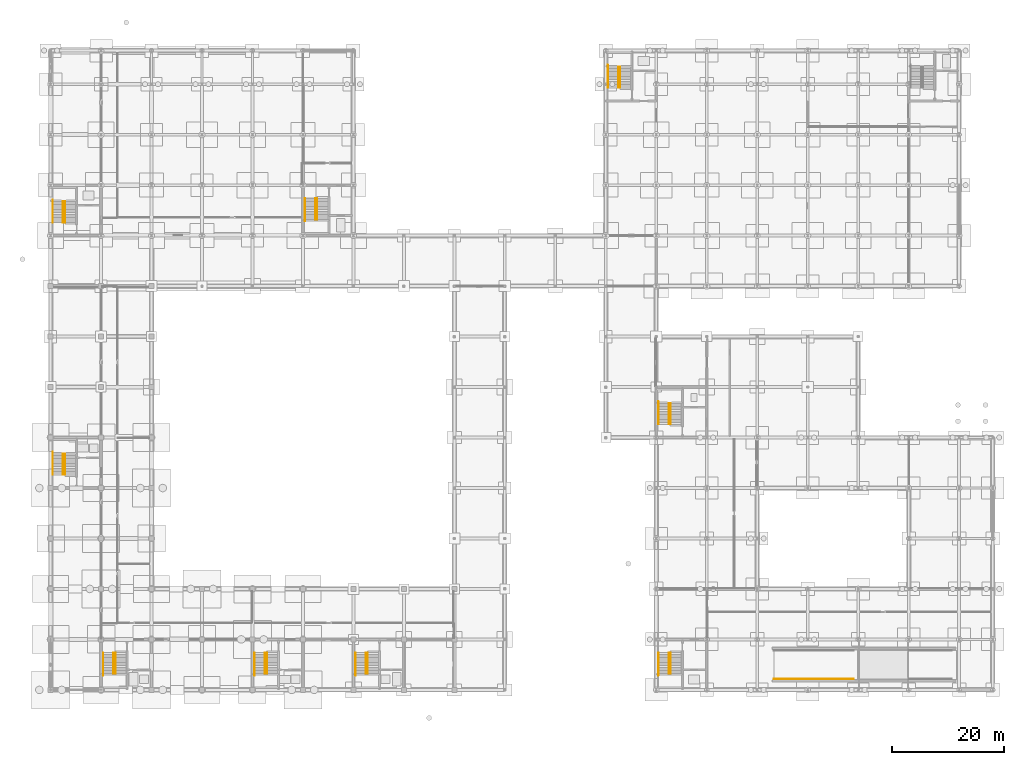
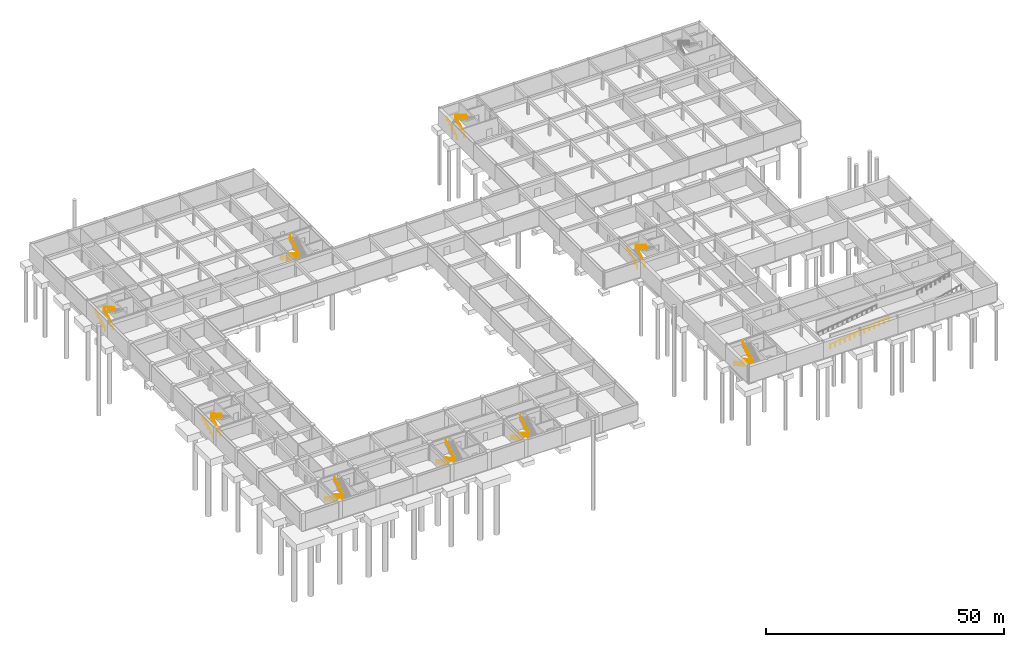
# One storey, part 39 of 41: 19 railings.
"""IFC4 building model written with IfcOpenShell, lengths in metres."""

from ifc_helpers import new_model, si_unit, direction, frame, origin, origin_2d, place, context, subcontext, project, spatial, circle, extrude, material, type_object, element, save


model = new_model("IFC4")

# Units and contexts
model_context = context("Model", 3, precision=1e-05, world=origin(), true_north=direction((0.0, 1.0)))
body_context = subcontext(model_context, "Body", "Model", "MODEL_VIEW")
ifc_project = project(units=[si_unit("LENGTHUNIT", "METRE"), si_unit("AREAUNIT", "SQUARE_METRE"), si_unit("VOLUMEUNIT", "CUBIC_METRE"), si_unit("PLANEANGLEUNIT", "RADIAN"), si_unit("MASSUNIT", "GRAM", prefix="KILO")], contexts=[model_context])

# Site, building, storey
site_placement = place(None, origin())
site = spatial("IfcSite", under=ifc_project, at=site_placement, CompositionType="ELEMENT")
building_placement = place(site_placement, origin())
building = spatial("IfcBuilding", under=site, at=building_placement, Name="Palais des Congres Ocreval", CompositionType="ELEMENT")
storey_placement = place(building_placement, frame((0.0, 0.0, -8.9599609375)))
storey = spatial("IfcBuildingStorey", under=building, at=storey_placement, Name="B2", CompositionType="ELEMENT", Elevation=-8.9599609375)

# Railings
ifc_material_1 = material(Name="Anodized bronze aluminium", Category="aluminium")
railing_type_1 = type_object("IfcRailingType", Name="Bronze Stair and Ramp Handrail 900", PredefinedType="HANDRAIL", material=ifc_material_1)
for number, where, name in (
    (1, (9.3798828125, 6.64990234375, 0.159912109375), "Stair Wall Handrail ST01 B2"),
    (2, (36.3798828125, 6.64990234375, 0.159912109375), "Stair Wall Handrail ST02 B2"),
):
    element("IfcRailing", number, at=place(storey_placement, frame(where)), inside=storey, type_object=railing_type_1, Name=name, PredefinedType="HANDRAIL", context=body_context, shape_type="SweptSolid", body=[
        extrude(circle(Radius=0.02392578125, at=origin_2d()), frame((0.0, 0.0, 0.8759765625), z_axis=(0.0, -0.87556923635, 0.483092654009), x_axis=(1.0, 0.0, 0.0)), (0.0, 0.0, 1.0), 4.63671875),
        extrude(circle(Radius=0.02099609375, at=origin_2d()), origin(), (0.0, 0.0, 1.0), 0.851806640625),
        extrude(circle(Radius=0.02099609375, at=origin_2d()), frame((0.0, -1.014892578125, 0.56005859375)), (0.0, 0.0, 1.0), 0.851806640625),
        extrude(circle(Radius=0.02099609375, at=origin_2d()), frame((0.0, -2.02978515625, 1.1201171875)), (0.0, 0.0, 1.0), 0.851806640625),
        extrude(circle(Radius=0.02099609375, at=origin_2d()), frame((0.0, -3.044921875, 1.679931640625)), (0.0, 0.0, 1.0), 0.851806640625),
        extrude(circle(Radius=0.02099609375, at=origin_2d()), frame((0.0, -4.059814453125, 2.239990234375)), (0.0, 0.0, 1.0), 0.851806640625),
    ])
railing_1_placement = place(storey_placement, frame((0.3798828125, 38.35009765625, 0.159912109375)))
element("IfcRailing", 3, at=railing_1_placement, inside=storey, type_object=railing_type_1, Name="Stair Wall Handrail ST03 B2", PredefinedType="HANDRAIL", context=body_context, shape_type="SweptSolid", body=[
    extrude(circle(Radius=0.02392578125, at=origin_2d()), frame((0.0, 0.0, 0.8759765625), z_axis=(0.0, 0.87556923635, 0.483092654009), x_axis=(-1.0, 0.0, 0.0)), (0.0, 0.0, 1.0), 4.63671875),
    extrude(circle(Radius=0.02099609375, at=origin_2d()), origin(), (0.0, 0.0, 1.0), 0.851806640625),
    extrude(circle(Radius=0.02099609375, at=origin_2d()), frame((0.0, 1.014892578125, 0.56005859375)), (0.0, 0.0, 1.0), 0.851806640625),
    extrude(circle(Radius=0.02099609375, at=origin_2d()), frame((0.0, 2.02978515625, 1.1201171875)), (0.0, 0.0, 1.0), 0.851806640625),
    extrude(circle(Radius=0.02099609375, at=origin_2d()), frame((0.0, 3.044921875, 1.679931640625)), (0.0, 0.0, 1.0), 0.851806640625),
    extrude(circle(Radius=0.02099609375, at=origin_2d()), frame((0.0, 4.059814453125, 2.239990234375)), (0.0, 0.0, 1.0), 0.851806640625),
])
railing_2_placement = place(storey_placement, frame((54.3798828125, 6.64990234375, 0.159912109375)))
element("IfcRailing", 4, at=railing_2_placement, inside=storey, type_object=railing_type_1, Name="Stair Wall Handrail ST04 B2", PredefinedType="HANDRAIL", context=body_context, shape_type="SweptSolid", body=[
    extrude(circle(Radius=0.02392578125, at=origin_2d()), frame((0.0, 0.0, 0.8759765625), z_axis=(0.0, -0.87556923635, 0.483092654009), x_axis=(1.0, 0.0, 0.0)), (0.0, 0.0, 1.0), 4.63671875),
    extrude(circle(Radius=0.02099609375, at=origin_2d()), origin(), (0.0, 0.0, 1.0), 0.851806640625),
    extrude(circle(Radius=0.02099609375, at=origin_2d()), frame((0.0, -1.014892578125, 0.56005859375)), (0.0, 0.0, 1.0), 0.851806640625),
    extrude(circle(Radius=0.02099609375, at=origin_2d()), frame((0.0, -2.02978515625, 1.1201171875)), (0.0, 0.0, 1.0), 0.851806640625),
    extrude(circle(Radius=0.02099609375, at=origin_2d()), frame((0.0, -3.044921875, 1.679931640625)), (0.0, 0.0, 1.0), 0.851806640625),
    extrude(circle(Radius=0.02099609375, at=origin_2d()), frame((0.0, -4.059814453125, 2.239990234375)), (0.0, 0.0, 1.0), 0.851806640625),
])
railing_3_placement = place(storey_placement, frame((0.3798828125, 83.35009765625, 0.159912109375)))
element("IfcRailing", 5, at=railing_3_placement, inside=storey, type_object=railing_type_1, Name="Stair Wall Handrail ST05 B2", PredefinedType="HANDRAIL", context=body_context, shape_type="SweptSolid", body=[
    extrude(circle(Radius=0.02392578125, at=origin_2d()), frame((0.0, 0.0, 0.8759765625), z_axis=(0.0, 0.87556923635, 0.483092654009), x_axis=(-1.0, 0.0, 0.0)), (0.0, 0.0, 1.0), 4.63671875),
    extrude(circle(Radius=0.02099609375, at=origin_2d()), origin(), (0.0, 0.0, 1.0), 0.851806640625),
    extrude(circle(Radius=0.02099609375, at=origin_2d()), frame((0.0, 1.014892578125, 0.56005859375)), (0.0, 0.0, 1.0), 0.851806640625),
    extrude(circle(Radius=0.02099609375, at=origin_2d()), frame((0.0, 2.02978515625, 1.1201171875)), (0.0, 0.0, 1.0), 0.851806640625),
    extrude(circle(Radius=0.02099609375, at=origin_2d()), frame((0.0, 3.044921875, 1.679931640625)), (0.0, 0.0, 1.0), 0.851806640625),
    extrude(circle(Radius=0.02099609375, at=origin_2d()), frame((0.0, 4.059814453125, 2.239990234375)), (0.0, 0.0, 1.0), 0.851806640625),
])
railing_4_placement = place(storey_placement, frame((45.3798828125, 87.64990234375, 0.159912109375)))
element("IfcRailing", 6, at=railing_4_placement, inside=storey, type_object=railing_type_1, Name="Stair Wall Handrail ST06 B2", PredefinedType="HANDRAIL", context=body_context, shape_type="SweptSolid", body=[
    extrude(circle(Radius=0.02392578125, at=origin_2d()), frame((0.0, 0.0, 0.8759765625), z_axis=(0.0, -0.87556923635, 0.483092654009), x_axis=(1.0, 0.0, 0.0)), (0.0, 0.0, 1.0), 4.63671875),
    extrude(circle(Radius=0.02099609375, at=origin_2d()), origin(), (0.0, 0.0, 1.0), 0.851806640625),
    extrude(circle(Radius=0.02099609375, at=origin_2d()), frame((0.0, -1.014892578125, 0.56005859375)), (0.0, 0.0, 1.0), 0.851806640625),
    extrude(circle(Radius=0.02099609375, at=origin_2d()), frame((0.0, -2.02978515625, 1.1201171875)), (0.0, 0.0, 1.0), 0.851806640625),
    extrude(circle(Radius=0.02099609375, at=origin_2d()), frame((0.0, -3.044921875, 1.679931640625)), (0.0, 0.0, 1.0), 0.851806640625),
    extrude(circle(Radius=0.02099609375, at=origin_2d()), frame((0.0, -4.059814453125, 2.239990234375)), (0.0, 0.0, 1.0), 0.851806640625),
])
railing_5_placement = place(storey_placement, frame((99.3798828125, 107.35009765625, 0.159912109375)))
element("IfcRailing", 7, at=railing_5_placement, inside=storey, type_object=railing_type_1, Name="Stair Wall Handrail ST07 B2", PredefinedType="HANDRAIL", context=body_context, shape_type="SweptSolid", body=[
    extrude(circle(Radius=0.02392578125, at=origin_2d()), frame((0.0, 0.0, 0.8759765625), z_axis=(0.0, 0.87556923635, 0.483092654009), x_axis=(-1.0, 0.0, 0.0)), (0.0, 0.0, 1.0), 4.63671875),
    extrude(circle(Radius=0.02099609375, at=origin_2d()), origin(), (0.0, 0.0, 1.0), 0.851806640625),
    extrude(circle(Radius=0.02099609375, at=origin_2d()), frame((0.0, 1.014892578125, 0.56005859375)), (0.0, 0.0, 1.0), 0.851806640625),
    extrude(circle(Radius=0.02099609375, at=origin_2d()), frame((0.0, 2.02978515625, 1.1201171875)), (0.0, 0.0, 1.0), 0.851806640625),
    extrude(circle(Radius=0.02099609375, at=origin_2d()), frame((0.0, 3.044921875, 1.679931640625)), (0.0, 0.0, 1.0), 0.851806640625),
    extrude(circle(Radius=0.02099609375, at=origin_2d()), frame((0.0, 4.059814453125, 2.239990234375)), (0.0, 0.0, 1.0), 0.851806640625),
])
railing_6_placement = place(storey_placement, frame((108.3798828125, 6.64990234375, 0.159912109375)))
element("IfcRailing", 8, at=railing_6_placement, inside=storey, type_object=railing_type_1, Name="Stair Wall Handrail ST09 B2", PredefinedType="HANDRAIL", context=body_context, shape_type="SweptSolid", body=[
    extrude(circle(Radius=0.02392578125, at=origin_2d()), frame((0.0, 0.0, 0.8759765625), z_axis=(0.0, -0.87556923635, 0.483092654009), x_axis=(1.0, 0.0, 0.0)), (0.0, 0.0, 1.0), 4.63671875),
    extrude(circle(Radius=0.02099609375, at=origin_2d()), origin(), (0.0, 0.0, 1.0), 0.851806640625),
    extrude(circle(Radius=0.02099609375, at=origin_2d()), frame((0.0, -1.014892578125, 0.56005859375)), (0.0, 0.0, 1.0), 0.851806640625),
    extrude(circle(Radius=0.02099609375, at=origin_2d()), frame((0.0, -2.02978515625, 1.1201171875)), (0.0, 0.0, 1.0), 0.851806640625),
    extrude(circle(Radius=0.02099609375, at=origin_2d()), frame((0.0, -3.044921875, 1.679931640625)), (0.0, 0.0, 1.0), 0.851806640625),
    extrude(circle(Radius=0.02099609375, at=origin_2d()), frame((0.0, -4.059814453125, 2.239990234375)), (0.0, 0.0, 1.0), 0.851806640625),
])
railing_7_placement = place(storey_placement, frame((108.3798828125, 47.35009765625, 0.159912109375)))
element("IfcRailing", 9, at=railing_7_placement, inside=storey, type_object=railing_type_1, Name="Stair Wall Handrail ST10 B2", PredefinedType="HANDRAIL", context=body_context, shape_type="SweptSolid", body=[
    extrude(circle(Radius=0.02392578125, at=origin_2d()), frame((0.0, 0.0, 0.8759765625), z_axis=(0.0, 0.87556923635, 0.483092654009), x_axis=(-1.0, 0.0, 0.0)), (0.0, 0.0, 1.0), 4.63671875),
    extrude(circle(Radius=0.02099609375, at=origin_2d()), origin(), (0.0, 0.0, 1.0), 0.851806640625),
    extrude(circle(Radius=0.02099609375, at=origin_2d()), frame((0.0, 1.014892578125, 0.56005859375)), (0.0, 0.0, 1.0), 0.851806640625),
    extrude(circle(Radius=0.02099609375, at=origin_2d()), frame((0.0, 2.02978515625, 1.1201171875)), (0.0, 0.0, 1.0), 0.851806640625),
    extrude(circle(Radius=0.02099609375, at=origin_2d()), frame((0.0, 3.044921875, 1.679931640625)), (0.0, 0.0, 1.0), 0.851806640625),
    extrude(circle(Radius=0.02099609375, at=origin_2d()), frame((0.0, 4.059814453125, 2.239990234375)), (0.0, 0.0, 1.0), 0.851806640625),
])
ifc_material_2 = material(Name="Steel S355", Category="steel")
railing_type_2 = type_object("IfcRailingType", Name="Stairwell Steel Guardrail 1100", PredefinedType="GUARDRAIL", material=ifc_material_2)
railing_8_placement = place(storey_placement, frame((11.22998046875, 6.64990234375, 0.0)))
element("IfcRailing", 10, at=railing_8_placement, inside=storey, type_object=railing_type_2, Name="Stair Inner Guardrail ST01 B2", PredefinedType="GUARDRAIL", context=body_context, shape_type="SweptSolid", body=[
    extrude(circle(Radius=0.02392578125, at=origin_2d()), frame((0.0, 0.0, 1.076171875), z_axis=(0.0, -0.859700428432, 0.510798564361), x_axis=(1.0, 0.0, 0.0)), (0.0, 0.0, 1.0), 4.38525390625),
    extrude(circle(Radius=0.02392578125, at=origin_2d()), frame((0.0, -3.77001953125, 3.31591796875), z_axis=(1.0, 0.0, 0.0), x_axis=(0.0, 1.0, 0.0)), (0.0, 0.0, 1.0), 0.340087890625),
    extrude(circle(Radius=0.02392578125, at=origin_2d()), frame((0.340087890625, -3.77001953125, 3.31591796875), z_axis=(0.0, 0.859700428432, 0.510798564361), x_axis=(-1.0, 0.0, 0.0)), (0.0, 0.0, 1.0), 4.38525390625),
    extrude(circle(Radius=0.02099609375, at=origin_2d()), origin(), (0.0, 0.0, 1.0), 1.052001953125),
    extrude(circle(Radius=0.02099609375, at=origin_2d()), frame((0.0, -0.9423828125, 0.56005859375)), (0.0, 0.0, 1.0), 1.052001953125),
    extrude(circle(Radius=0.02099609375, at=origin_2d()), frame((0.0, -1.885009765625, 1.1201171875)), (0.0, 0.0, 1.0), 1.052001953125),
    extrude(circle(Radius=0.02099609375, at=origin_2d()), frame((0.0, -2.82763671875, 1.679931640625)), (0.0, 0.0, 1.0), 1.052001953125),
    extrude(circle(Radius=0.02099609375, at=origin_2d()), frame((0.0, -3.77001953125, 2.239990234375)), (0.0, 0.0, 1.0), 1.052001953125),
    extrude(circle(Radius=0.02099609375, at=origin_2d()), frame((0.340087890625, -3.77001953125, 2.239990234375)), (0.0, 0.0, 1.0), 1.052001953125),
    extrude(circle(Radius=0.02099609375, at=origin_2d()), frame((0.340087890625, -2.82763671875, 2.800048828125)), (0.0, 0.0, 1.0), 1.052001953125),
    extrude(circle(Radius=0.02099609375, at=origin_2d()), frame((0.340087890625, -1.885009765625, 3.35986328125)), (0.0, 0.0, 1.0), 1.052001953125),
    extrude(circle(Radius=0.02099609375, at=origin_2d()), frame((0.340087890625, -0.9423828125, 3.919921875)), (0.0, 0.0, 1.0), 1.052001953125),
    extrude(circle(Radius=0.02099609375, at=origin_2d()), frame((0.340087890625, 0.0, 4.47998046875)), (0.0, 0.0, 1.0), 1.052001953125),
])
railing_9_placement = place(storey_placement, frame((38.22998046875, 6.64990234375, 0.0)))
element("IfcRailing", 11, at=railing_9_placement, inside=storey, type_object=railing_type_2, Name="Stair Inner Guardrail ST02 B2", PredefinedType="GUARDRAIL", context=body_context, shape_type="SweptSolid", body=[
    extrude(circle(Radius=0.02392578125, at=origin_2d()), frame((0.0, 0.0, 1.076171875), z_axis=(0.0, -0.859700428432, 0.510798564361), x_axis=(1.0, 0.0, 0.0)), (0.0, 0.0, 1.0), 4.38525390625),
    extrude(circle(Radius=0.02392578125, at=origin_2d()), frame((0.0, -3.77001953125, 3.31591796875), z_axis=(1.0, 0.0, 0.0), x_axis=(0.0, 1.0, 0.0)), (0.0, 0.0, 1.0), 0.340087890625),
    extrude(circle(Radius=0.02392578125, at=origin_2d()), frame((0.340087890625, -3.77001953125, 3.31591796875), z_axis=(0.0, 0.859700428432, 0.510798564361), x_axis=(-1.0, 0.0, 0.0)), (0.0, 0.0, 1.0), 4.38525390625),
    extrude(circle(Radius=0.02099609375, at=origin_2d()), origin(), (0.0, 0.0, 1.0), 1.052001953125),
    extrude(circle(Radius=0.02099609375, at=origin_2d()), frame((0.0, -0.9423828125, 0.56005859375)), (0.0, 0.0, 1.0), 1.052001953125),
    extrude(circle(Radius=0.02099609375, at=origin_2d()), frame((0.0, -1.885009765625, 1.1201171875)), (0.0, 0.0, 1.0), 1.052001953125),
    extrude(circle(Radius=0.02099609375, at=origin_2d()), frame((0.0, -2.82763671875, 1.679931640625)), (0.0, 0.0, 1.0), 1.052001953125),
    extrude(circle(Radius=0.02099609375, at=origin_2d()), frame((0.0, -3.77001953125, 2.239990234375)), (0.0, 0.0, 1.0), 1.052001953125),
    extrude(circle(Radius=0.02099609375, at=origin_2d()), frame((0.340087890625, -3.77001953125, 2.239990234375)), (0.0, 0.0, 1.0), 1.052001953125),
    extrude(circle(Radius=0.02099609375, at=origin_2d()), frame((0.340087890625, -2.82763671875, 2.800048828125)), (0.0, 0.0, 1.0), 1.052001953125),
    extrude(circle(Radius=0.02099609375, at=origin_2d()), frame((0.340087890625, -1.885009765625, 3.35986328125)), (0.0, 0.0, 1.0), 1.052001953125),
    extrude(circle(Radius=0.02099609375, at=origin_2d()), frame((0.340087890625, -0.9423828125, 3.919921875)), (0.0, 0.0, 1.0), 1.052001953125),
    extrude(circle(Radius=0.02099609375, at=origin_2d()), frame((0.340087890625, 0.0, 4.47998046875)), (0.0, 0.0, 1.0), 1.052001953125),
])
railing_10_placement = place(storey_placement, frame((2.22998046875, 38.35009765625, 0.0)))
element("IfcRailing", 12, at=railing_10_placement, inside=storey, type_object=railing_type_2, Name="Stair Inner Guardrail ST03 B2", PredefinedType="GUARDRAIL", context=body_context, shape_type="SweptSolid", body=[
    extrude(circle(Radius=0.02392578125, at=origin_2d()), frame((0.0, 0.0, 1.076171875), z_axis=(0.0, 0.859700428432, 0.510798564361), x_axis=(-1.0, 0.0, 0.0)), (0.0, 0.0, 1.0), 4.38525390625),
    extrude(circle(Radius=0.02392578125, at=origin_2d()), frame((0.0, 3.77001953125, 3.31591796875), z_axis=(1.0, 0.0, 0.0), x_axis=(0.0, 1.0, 0.0)), (0.0, 0.0, 1.0), 0.340087890625),
    extrude(circle(Radius=0.02392578125, at=origin_2d()), frame((0.340087890625, 3.77001953125, 3.31591796875), z_axis=(0.0, -0.859700428432, 0.510798564361), x_axis=(1.0, 0.0, 0.0)), (0.0, 0.0, 1.0), 4.38525390625),
    extrude(circle(Radius=0.02099609375, at=origin_2d()), origin(), (0.0, 0.0, 1.0), 1.052001953125),
    extrude(circle(Radius=0.02099609375, at=origin_2d()), frame((0.0, 0.9423828125, 0.56005859375)), (0.0, 0.0, 1.0), 1.052001953125),
    extrude(circle(Radius=0.02099609375, at=origin_2d()), frame((0.0, 1.885009765625, 1.1201171875)), (0.0, 0.0, 1.0), 1.052001953125),
    extrude(circle(Radius=0.02099609375, at=origin_2d()), frame((0.0, 2.82763671875, 1.679931640625)), (0.0, 0.0, 1.0), 1.052001953125),
    extrude(circle(Radius=0.02099609375, at=origin_2d()), frame((0.0, 3.77001953125, 2.239990234375)), (0.0, 0.0, 1.0), 1.052001953125),
    extrude(circle(Radius=0.02099609375, at=origin_2d()), frame((0.340087890625, 3.77001953125, 2.239990234375)), (0.0, 0.0, 1.0), 1.052001953125),
    extrude(circle(Radius=0.02099609375, at=origin_2d()), frame((0.340087890625, 2.82763671875, 2.800048828125)), (0.0, 0.0, 1.0), 1.052001953125),
    extrude(circle(Radius=0.02099609375, at=origin_2d()), frame((0.340087890625, 1.885009765625, 3.35986328125)), (0.0, 0.0, 1.0), 1.052001953125),
    extrude(circle(Radius=0.02099609375, at=origin_2d()), frame((0.340087890625, 0.9423828125, 3.919921875)), (0.0, 0.0, 1.0), 1.052001953125),
    extrude(circle(Radius=0.02099609375, at=origin_2d()), frame((0.340087890625, 0.0, 4.47998046875)), (0.0, 0.0, 1.0), 1.052001953125),
])
railing_11_placement = place(storey_placement, frame((56.22998046875, 6.64990234375, 0.0)))
element("IfcRailing", 13, at=railing_11_placement, inside=storey, type_object=railing_type_2, Name="Stair Inner Guardrail ST04 B2", PredefinedType="GUARDRAIL", context=body_context, shape_type="SweptSolid", body=[
    extrude(circle(Radius=0.02392578125, at=origin_2d()), frame((0.0, 0.0, 1.076171875), z_axis=(0.0, -0.859700428432, 0.510798564361), x_axis=(1.0, 0.0, 0.0)), (0.0, 0.0, 1.0), 4.38525390625),
    extrude(circle(Radius=0.02392578125, at=origin_2d()), frame((0.0, -3.77001953125, 3.31591796875), z_axis=(1.0, 0.0, 0.0), x_axis=(0.0, 1.0, 0.0)), (0.0, 0.0, 1.0), 0.340087890625),
    extrude(circle(Radius=0.02392578125, at=origin_2d()), frame((0.340087890625, -3.77001953125, 3.31591796875), z_axis=(0.0, 0.859700428432, 0.510798564361), x_axis=(-1.0, 0.0, 0.0)), (0.0, 0.0, 1.0), 4.38525390625),
    extrude(circle(Radius=0.02099609375, at=origin_2d()), origin(), (0.0, 0.0, 1.0), 1.052001953125),
    extrude(circle(Radius=0.02099609375, at=origin_2d()), frame((0.0, -0.9423828125, 0.56005859375)), (0.0, 0.0, 1.0), 1.052001953125),
    extrude(circle(Radius=0.02099609375, at=origin_2d()), frame((0.0, -1.885009765625, 1.1201171875)), (0.0, 0.0, 1.0), 1.052001953125),
    extrude(circle(Radius=0.02099609375, at=origin_2d()), frame((0.0, -2.82763671875, 1.679931640625)), (0.0, 0.0, 1.0), 1.052001953125),
    extrude(circle(Radius=0.02099609375, at=origin_2d()), frame((0.0, -3.77001953125, 2.239990234375)), (0.0, 0.0, 1.0), 1.052001953125),
    extrude(circle(Radius=0.02099609375, at=origin_2d()), frame((0.340087890625, -3.77001953125, 2.239990234375)), (0.0, 0.0, 1.0), 1.052001953125),
    extrude(circle(Radius=0.02099609375, at=origin_2d()), frame((0.340087890625, -2.82763671875, 2.800048828125)), (0.0, 0.0, 1.0), 1.052001953125),
    extrude(circle(Radius=0.02099609375, at=origin_2d()), frame((0.340087890625, -1.885009765625, 3.35986328125)), (0.0, 0.0, 1.0), 1.052001953125),
    extrude(circle(Radius=0.02099609375, at=origin_2d()), frame((0.340087890625, -0.9423828125, 3.919921875)), (0.0, 0.0, 1.0), 1.052001953125),
    extrude(circle(Radius=0.02099609375, at=origin_2d()), frame((0.340087890625, 0.0, 4.47998046875)), (0.0, 0.0, 1.0), 1.052001953125),
])
railing_12_placement = place(storey_placement, frame((2.22998046875, 83.35009765625, 0.0)))
element("IfcRailing", 14, at=railing_12_placement, inside=storey, type_object=railing_type_2, Name="Stair Inner Guardrail ST05 B2", PredefinedType="GUARDRAIL", context=body_context, shape_type="SweptSolid", body=[
    extrude(circle(Radius=0.02392578125, at=origin_2d()), frame((0.0, 0.0, 1.076171875), z_axis=(0.0, 0.859700428432, 0.510798564361), x_axis=(-1.0, 0.0, 0.0)), (0.0, 0.0, 1.0), 4.38525390625),
    extrude(circle(Radius=0.02392578125, at=origin_2d()), frame((0.0, 3.77001953125, 3.31591796875), z_axis=(1.0, 0.0, 0.0), x_axis=(0.0, 1.0, 0.0)), (0.0, 0.0, 1.0), 0.340087890625),
    extrude(circle(Radius=0.02392578125, at=origin_2d()), frame((0.340087890625, 3.77001953125, 3.31591796875), z_axis=(0.0, -0.859700428432, 0.510798564361), x_axis=(1.0, 0.0, 0.0)), (0.0, 0.0, 1.0), 4.38525390625),
    extrude(circle(Radius=0.02099609375, at=origin_2d()), origin(), (0.0, 0.0, 1.0), 1.052001953125),
    extrude(circle(Radius=0.02099609375, at=origin_2d()), frame((0.0, 0.9423828125, 0.56005859375)), (0.0, 0.0, 1.0), 1.052001953125),
    extrude(circle(Radius=0.02099609375, at=origin_2d()), frame((0.0, 1.885009765625, 1.1201171875)), (0.0, 0.0, 1.0), 1.052001953125),
    extrude(circle(Radius=0.02099609375, at=origin_2d()), frame((0.0, 2.82763671875, 1.679931640625)), (0.0, 0.0, 1.0), 1.052001953125),
    extrude(circle(Radius=0.02099609375, at=origin_2d()), frame((0.0, 3.77001953125, 2.239990234375)), (0.0, 0.0, 1.0), 1.052001953125),
    extrude(circle(Radius=0.02099609375, at=origin_2d()), frame((0.340087890625, 3.77001953125, 2.239990234375)), (0.0, 0.0, 1.0), 1.052001953125),
    extrude(circle(Radius=0.02099609375, at=origin_2d()), frame((0.340087890625, 2.82763671875, 2.800048828125)), (0.0, 0.0, 1.0), 1.052001953125),
    extrude(circle(Radius=0.02099609375, at=origin_2d()), frame((0.340087890625, 1.885009765625, 3.35986328125)), (0.0, 0.0, 1.0), 1.052001953125),
    extrude(circle(Radius=0.02099609375, at=origin_2d()), frame((0.340087890625, 0.9423828125, 3.919921875)), (0.0, 0.0, 1.0), 1.052001953125),
    extrude(circle(Radius=0.02099609375, at=origin_2d()), frame((0.340087890625, 0.0, 4.47998046875)), (0.0, 0.0, 1.0), 1.052001953125),
])
railing_13_placement = place(storey_placement, frame((47.22998046875, 87.64990234375, 0.0)))
element("IfcRailing", 15, at=railing_13_placement, inside=storey, type_object=railing_type_2, Name="Stair Inner Guardrail ST06 B2", PredefinedType="GUARDRAIL", context=body_context, shape_type="SweptSolid", body=[
    extrude(circle(Radius=0.02392578125, at=origin_2d()), frame((0.0, 0.0, 1.076171875), z_axis=(0.0, -0.859700428432, 0.510798564361), x_axis=(1.0, 0.0, 0.0)), (0.0, 0.0, 1.0), 4.38525390625),
    extrude(circle(Radius=0.02392578125, at=origin_2d()), frame((0.0, -3.77001953125, 3.31591796875), z_axis=(1.0, 0.0, 0.0), x_axis=(0.0, 1.0, 0.0)), (0.0, 0.0, 1.0), 0.340087890625),
    extrude(circle(Radius=0.02392578125, at=origin_2d()), frame((0.340087890625, -3.77001953125, 3.31591796875), z_axis=(0.0, 0.859700428432, 0.510798564361), x_axis=(-1.0, 0.0, 0.0)), (0.0, 0.0, 1.0), 4.38525390625),
    extrude(circle(Radius=0.02099609375, at=origin_2d()), origin(), (0.0, 0.0, 1.0), 1.052001953125),
    extrude(circle(Radius=0.02099609375, at=origin_2d()), frame((0.0, -0.9423828125, 0.56005859375)), (0.0, 0.0, 1.0), 1.052001953125),
    extrude(circle(Radius=0.02099609375, at=origin_2d()), frame((0.0, -1.885009765625, 1.1201171875)), (0.0, 0.0, 1.0), 1.052001953125),
    extrude(circle(Radius=0.02099609375, at=origin_2d()), frame((0.0, -2.82763671875, 1.679931640625)), (0.0, 0.0, 1.0), 1.052001953125),
    extrude(circle(Radius=0.02099609375, at=origin_2d()), frame((0.0, -3.77001953125, 2.239990234375)), (0.0, 0.0, 1.0), 1.052001953125),
    extrude(circle(Radius=0.02099609375, at=origin_2d()), frame((0.340087890625, -3.77001953125, 2.239990234375)), (0.0, 0.0, 1.0), 1.052001953125),
    extrude(circle(Radius=0.02099609375, at=origin_2d()), frame((0.340087890625, -2.82763671875, 2.800048828125)), (0.0, 0.0, 1.0), 1.052001953125),
    extrude(circle(Radius=0.02099609375, at=origin_2d()), frame((0.340087890625, -1.885009765625, 3.35986328125)), (0.0, 0.0, 1.0), 1.052001953125),
    extrude(circle(Radius=0.02099609375, at=origin_2d()), frame((0.340087890625, -0.9423828125, 3.919921875)), (0.0, 0.0, 1.0), 1.052001953125),
    extrude(circle(Radius=0.02099609375, at=origin_2d()), frame((0.340087890625, 0.0, 4.47998046875)), (0.0, 0.0, 1.0), 1.052001953125),
])
railing_14_placement = place(storey_placement, frame((101.22998046875, 107.35009765625, 0.0)))
element("IfcRailing", 16, at=railing_14_placement, inside=storey, type_object=railing_type_2, Name="Stair Inner Guardrail ST07 B2", PredefinedType="GUARDRAIL", context=body_context, shape_type="SweptSolid", body=[
    extrude(circle(Radius=0.02392578125, at=origin_2d()), frame((0.0, 0.0, 1.076171875), z_axis=(0.0, 0.859700428432, 0.510798564361), x_axis=(-1.0, 0.0, 0.0)), (0.0, 0.0, 1.0), 4.38525390625),
    extrude(circle(Radius=0.02392578125, at=origin_2d()), frame((0.0, 3.77001953125, 3.31591796875), z_axis=(1.0, 0.0, 0.0), x_axis=(0.0, 1.0, 0.0)), (0.0, 0.0, 1.0), 0.340087890625),
    extrude(circle(Radius=0.02392578125, at=origin_2d()), frame((0.340087890625, 3.77001953125, 3.31591796875), z_axis=(0.0, -0.859700428432, 0.510798564361), x_axis=(1.0, 0.0, 0.0)), (0.0, 0.0, 1.0), 4.38525390625),
    extrude(circle(Radius=0.02099609375, at=origin_2d()), origin(), (0.0, 0.0, 1.0), 1.052001953125),
    extrude(circle(Radius=0.02099609375, at=origin_2d()), frame((0.0, 0.9423828125, 0.56005859375)), (0.0, 0.0, 1.0), 1.052001953125),
    extrude(circle(Radius=0.02099609375, at=origin_2d()), frame((0.0, 1.885009765625, 1.1201171875)), (0.0, 0.0, 1.0), 1.052001953125),
    extrude(circle(Radius=0.02099609375, at=origin_2d()), frame((0.0, 2.82763671875, 1.679931640625)), (0.0, 0.0, 1.0), 1.052001953125),
    extrude(circle(Radius=0.02099609375, at=origin_2d()), frame((0.0, 3.77001953125, 2.239990234375)), (0.0, 0.0, 1.0), 1.052001953125),
    extrude(circle(Radius=0.02099609375, at=origin_2d()), frame((0.340087890625, 3.77001953125, 2.239990234375)), (0.0, 0.0, 1.0), 1.052001953125),
    extrude(circle(Radius=0.02099609375, at=origin_2d()), frame((0.340087890625, 2.82763671875, 2.800048828125)), (0.0, 0.0, 1.0), 1.052001953125),
    extrude(circle(Radius=0.02099609375, at=origin_2d()), frame((0.340087890625, 1.885009765625, 3.35986328125)), (0.0, 0.0, 1.0), 1.052001953125),
    extrude(circle(Radius=0.02099609375, at=origin_2d()), frame((0.340087890625, 0.9423828125, 3.919921875)), (0.0, 0.0, 1.0), 1.052001953125),
    extrude(circle(Radius=0.02099609375, at=origin_2d()), frame((0.340087890625, 0.0, 4.47998046875)), (0.0, 0.0, 1.0), 1.052001953125),
])
railing_15_placement = place(storey_placement, frame((110.280029296875, 6.64990234375, 0.0)))
element("IfcRailing", 17, at=railing_15_placement, inside=storey, type_object=railing_type_2, Name="Stair Inner Guardrail ST09 B2", PredefinedType="GUARDRAIL", context=body_context, shape_type="SweptSolid", body=[
    extrude(circle(Radius=0.02392578125, at=origin_2d()), frame((0.0, 0.0, 1.076171875), z_axis=(0.0, -0.859700428432, 0.510798564361), x_axis=(1.0, 0.0, 0.0)), (0.0, 0.0, 1.0), 4.38525390625),
    extrude(circle(Radius=0.02392578125, at=origin_2d()), frame((0.0, -3.77001953125, 3.31591796875), z_axis=(1.0, 0.0, 0.0), x_axis=(0.0, 1.0, 0.0)), (0.0, 0.0, 1.0), 0.239990234375),
    extrude(circle(Radius=0.02392578125, at=origin_2d()), frame((0.239990234375, -3.77001953125, 3.31591796875), z_axis=(0.0, 0.859700428432, 0.510798564361), x_axis=(-1.0, 0.0, 0.0)), (0.0, 0.0, 1.0), 4.38525390625),
    extrude(circle(Radius=0.02099609375, at=origin_2d()), origin(), (0.0, 0.0, 1.0), 1.052001953125),
    extrude(circle(Radius=0.02099609375, at=origin_2d()), frame((0.0, -0.9423828125, 0.56005859375)), (0.0, 0.0, 1.0), 1.052001953125),
    extrude(circle(Radius=0.02099609375, at=origin_2d()), frame((0.0, -1.885009765625, 1.1201171875)), (0.0, 0.0, 1.0), 1.052001953125),
    extrude(circle(Radius=0.02099609375, at=origin_2d()), frame((0.0, -2.82763671875, 1.679931640625)), (0.0, 0.0, 1.0), 1.052001953125),
    extrude(circle(Radius=0.02099609375, at=origin_2d()), frame((0.0, -3.77001953125, 2.239990234375)), (0.0, 0.0, 1.0), 1.052001953125),
    extrude(circle(Radius=0.02099609375, at=origin_2d()), frame((0.239990234375, -3.77001953125, 2.239990234375)), (0.0, 0.0, 1.0), 1.052001953125),
    extrude(circle(Radius=0.02099609375, at=origin_2d()), frame((0.239990234375, -2.82763671875, 2.800048828125)), (0.0, 0.0, 1.0), 1.052001953125),
    extrude(circle(Radius=0.02099609375, at=origin_2d()), frame((0.239990234375, -1.885009765625, 3.35986328125)), (0.0, 0.0, 1.0), 1.052001953125),
    extrude(circle(Radius=0.02099609375, at=origin_2d()), frame((0.239990234375, -0.9423828125, 3.919921875)), (0.0, 0.0, 1.0), 1.052001953125),
    extrude(circle(Radius=0.02099609375, at=origin_2d()), frame((0.239990234375, 0.0, 4.47998046875)), (0.0, 0.0, 1.0), 1.052001953125),
])
railing_16_placement = place(storey_placement, frame((110.280029296875, 47.35009765625, 0.0)))
element("IfcRailing", 18, at=railing_16_placement, inside=storey, type_object=railing_type_2, Name="Stair Inner Guardrail ST10 B2", PredefinedType="GUARDRAIL", context=body_context, shape_type="SweptSolid", body=[
    extrude(circle(Radius=0.02392578125, at=origin_2d()), frame((0.0, 0.0, 1.076171875), z_axis=(0.0, 0.859700428432, 0.510798564361), x_axis=(-1.0, 0.0, 0.0)), (0.0, 0.0, 1.0), 4.38525390625),
    extrude(circle(Radius=0.02392578125, at=origin_2d()), frame((0.0, 3.77001953125, 3.31591796875), z_axis=(1.0, 0.0, 0.0), x_axis=(0.0, 1.0, 0.0)), (0.0, 0.0, 1.0), 0.239990234375),
    extrude(circle(Radius=0.02392578125, at=origin_2d()), frame((0.239990234375, 3.77001953125, 3.31591796875), z_axis=(0.0, -0.859700428432, 0.510798564361), x_axis=(1.0, 0.0, 0.0)), (0.0, 0.0, 1.0), 4.38525390625),
    extrude(circle(Radius=0.02099609375, at=origin_2d()), origin(), (0.0, 0.0, 1.0), 1.052001953125),
    extrude(circle(Radius=0.02099609375, at=origin_2d()), frame((0.0, 0.9423828125, 0.56005859375)), (0.0, 0.0, 1.0), 1.052001953125),
    extrude(circle(Radius=0.02099609375, at=origin_2d()), frame((0.0, 1.885009765625, 1.1201171875)), (0.0, 0.0, 1.0), 1.052001953125),
    extrude(circle(Radius=0.02099609375, at=origin_2d()), frame((0.0, 2.82763671875, 1.679931640625)), (0.0, 0.0, 1.0), 1.052001953125),
    extrude(circle(Radius=0.02099609375, at=origin_2d()), frame((0.0, 3.77001953125, 2.239990234375)), (0.0, 0.0, 1.0), 1.052001953125),
    extrude(circle(Radius=0.02099609375, at=origin_2d()), frame((0.239990234375, 3.77001953125, 2.239990234375)), (0.0, 0.0, 1.0), 1.052001953125),
    extrude(circle(Radius=0.02099609375, at=origin_2d()), frame((0.239990234375, 2.82763671875, 2.800048828125)), (0.0, 0.0, 1.0), 1.052001953125),
    extrude(circle(Radius=0.02099609375, at=origin_2d()), frame((0.239990234375, 1.885009765625, 3.35986328125)), (0.0, 0.0, 1.0), 1.052001953125),
    extrude(circle(Radius=0.02099609375, at=origin_2d()), frame((0.239990234375, 0.9423828125, 3.919921875)), (0.0, 0.0, 1.0), 1.052001953125),
    extrude(circle(Radius=0.02099609375, at=origin_2d()), frame((0.239990234375, 0.0, 4.47998046875)), (0.0, 0.0, 1.0), 1.052001953125),
])
railing_17_placement = place(storey_placement, frame((129.0, 1.9599609375, 0.0)))
element("IfcRailing", 19, at=railing_17_placement, inside=storey, type_object=railing_type_2, Name="Lower basement vehicle ramp R2 Guardrail 1L", PredefinedType="GUARDRAIL", context=body_context, shape_type="SweptSolid", body=[
    extrude(circle(Radius=0.02392578125, at=origin_2d()), frame((0.0, 0.0, 1.076171875), z_axis=(0.989033022447, 0.0, 0.147694551387), x_axis=(0.0, 1.0, 0.0)), (0.0, 0.0, 1.0), 14.306884765625),
    extrude(circle(Radius=0.02099609375, at=origin_2d()), origin(), (0.0, 0.0, 1.0), 1.052001953125),
    extrude(circle(Radius=0.02099609375, at=origin_2d()), frame((1.17919921875, 0.0, 0.176025390625)), (0.0, 0.0, 1.0), 1.052001953125),
    extrude(circle(Radius=0.02099609375, at=origin_2d()), frame((2.3583984375, 0.0, 0.35205078125)), (0.0, 0.0, 1.0), 1.052001953125),
    extrude(circle(Radius=0.02099609375, at=origin_2d()), frame((3.53759765625, 0.0, 0.5283203125)), (0.0, 0.0, 1.0), 1.052001953125),
    extrude(circle(Radius=0.02099609375, at=origin_2d()), frame((4.716552734375, 0.0, 0.704345703125)), (0.0, 0.0, 1.0), 1.052001953125),
    extrude(circle(Radius=0.02099609375, at=origin_2d()), frame((5.895751953125, 0.0, 0.88037109375)), (0.0, 0.0, 1.0), 1.052001953125),
    extrude(circle(Radius=0.02099609375, at=origin_2d()), frame((7.074951171875, 0.0, 1.056640625)), (0.0, 0.0, 1.0), 1.052001953125),
    extrude(circle(Radius=0.02099609375, at=origin_2d()), frame((8.254150390625, 0.0, 1.232666015625)), (0.0, 0.0, 1.0), 1.052001953125),
    extrude(circle(Radius=0.02099609375, at=origin_2d()), frame((9.433349609375, 0.0, 1.40869140625)), (0.0, 0.0, 1.0), 1.052001953125),
    extrude(circle(Radius=0.02099609375, at=origin_2d()), frame((10.6123046875, 0.0, 1.584716796875)), (0.0, 0.0, 1.0), 1.052001953125),
    extrude(circle(Radius=0.02099609375, at=origin_2d()), frame((11.79150390625, 0.0, 1.7607421875)), (0.0, 0.0, 1.0), 1.052001953125),
    extrude(circle(Radius=0.02099609375, at=origin_2d()), frame((12.970703125, 0.0, 1.93701171875)), (0.0, 0.0, 1.0), 1.052001953125),
    extrude(circle(Radius=0.02099609375, at=origin_2d()), frame((14.14990234375, 0.0, 2.113037109375)), (0.0, 0.0, 1.0), 1.052001953125),
])

save(model, "model.ifc")
